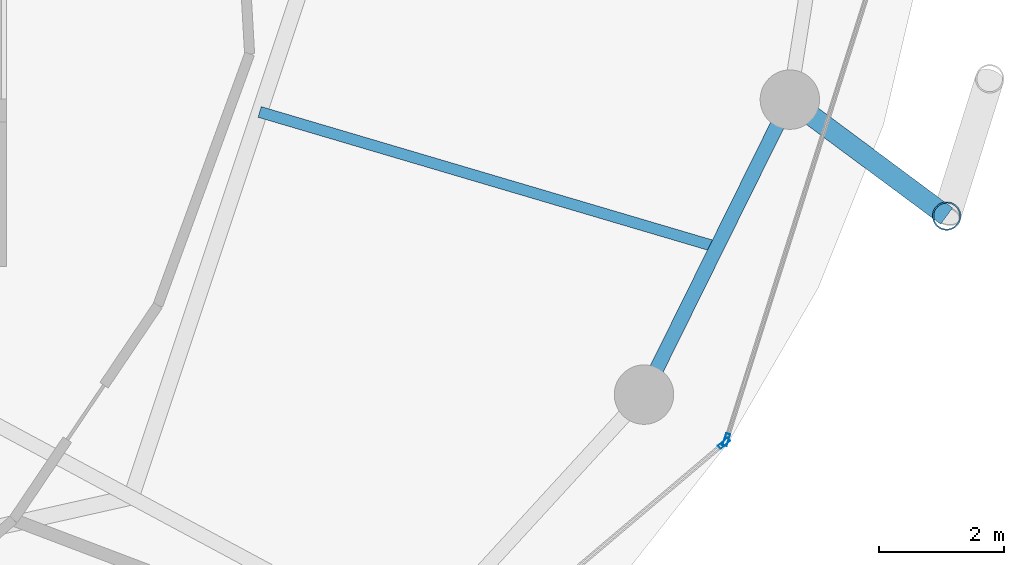
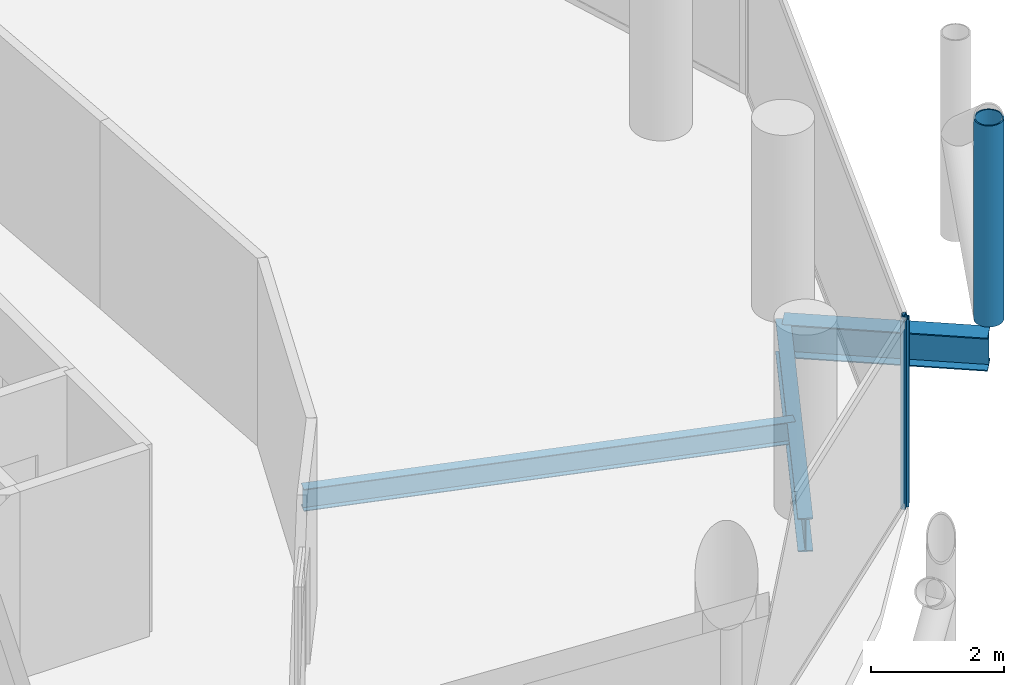
# One storey, part 10 of 26: 3 beams, 3 members, 2 elements without a shape of their own.
"""IFC4 building model written with IfcOpenShell, lengths in metres."""

import ifcopenshell
import ifcopenshell.guid

model = None  # the IFC model being written
_history = None  # IfcOwnerHistory: only IFC2X3 demands one
_inside = {}  # id of a spatial element -> (the spatial element, [elements in it])
_under = {}  # id of a project, library or spatial element -> (it, [spatial elements below it])
_declared = {}  # id of a project -> (the project, [libraries it declares])
_typed = {}  # id of a type object -> (the type object, [elements of that type])
_made_of = {}  # id of a material, layer set ... -> (it, [elements and type objects made of it])


def new_model(schema):
    """Start an empty IFC model of exactly this schema.

    Asked for "IFC4X3", IfcOpenShell would pick the latest addendum, in which some entities
    have other attributes; the version numbers below select the first issue.
    IFC2X3 requires an IfcOwnerHistory on every rooted entity: one is made here for all.
    """
    global model, _history
    if schema == "IFC4X3":
        model = ifcopenshell.file(schema_version=(4, 3, 0, 0))
    else:
        model = ifcopenshell.file(schema=schema)
    _inside.clear()
    _under.clear()
    _declared.clear()
    _typed.clear()
    _made_of.clear()
    _history = None
    if model.schema == "IFC2X3":
        org = make("IfcOrganization", Name="unknown")
        user = make(
            "IfcPersonAndOrganization",
            ThePerson=make("IfcPerson", FamilyName="unknown"),
            TheOrganization=org,
        )
        app = make(
            "IfcApplication",
            ApplicationDeveloper=org,
            Version="unknown",
            ApplicationFullName="unknown",
            ApplicationIdentifier="unknown",
        )
        _history = make(
            "IfcOwnerHistory",
            OwningUser=user,
            OwningApplication=app,
            ChangeAction="ADDED",
            CreationDate=0,
        )
    return model


def make(cls, **values):
    """One entity of the class cls with the attributes given. An attribute that is None is left unset."""
    return model.create_entity(
        cls, **{name: value for name, value in values.items() if value is not None}
    )


def rooted(cls, **values):
    """An entity with a GlobalId (a new one), such as an element, a storey or a relation."""
    return make(cls, GlobalId=ifcopenshell.guid.new(), OwnerHistory=_history, **values)


def si_unit(unit_type, name, prefix=None):
    """IfcSIUnit, for example si_unit("LENGTHUNIT", "METRE", prefix="MILLI")."""
    return make("IfcSIUnit", UnitType=unit_type, Prefix=prefix, Name=name)


def assignment(units):
    """IfcUnitAssignment: the units of a project."""
    return None if units is None else make("IfcUnitAssignment", Units=units)


def point(xyz):
    """IfcCartesianPoint."""
    return None if xyz is None else make("IfcCartesianPoint", Coordinates=xyz)


def direction(xyz):
    """IfcDirection."""
    return None if xyz is None else make("IfcDirection", DirectionRatios=xyz)


def frame(location, z_axis=None, x_axis=None):
    """IfcAxis2Placement3D, a coordinate frame: its origin and axes. An axis left out is left unset."""
    return make(
        "IfcAxis2Placement3D",
        Location=point(location),
        Axis=direction(z_axis),
        RefDirection=direction(x_axis),
    )


def frame_2d(location, x_axis=None):
    """IfcAxis2Placement2D, a coordinate frame in the plane: its origin and x axis."""
    return make(
        "IfcAxis2Placement2D", Location=point(location), RefDirection=direction(x_axis)
    )


def origin():
    """The frame at (0, 0, 0) with its axes left unset."""
    return frame((0.0, 0.0, 0.0))


def origin_2d():
    """The frame at (0, 0) in the plane with its x axis left unset."""
    return frame_2d((0.0, 0.0))


def place(relative_to, where):
    """IfcLocalPlacement: puts the frame where relative to a parent placement (None: the world)."""
    return make(
        "IfcLocalPlacement", PlacementRelTo=relative_to, RelativePlacement=where
    )


def context(
    kind, dimensions, precision=None, world=None, true_north=None, identifier=None
):
    """IfcGeometricRepresentationContext, for example the 3D "Model" context."""
    return make(
        "IfcGeometricRepresentationContext",
        ContextIdentifier=identifier,
        ContextType=kind,
        CoordinateSpaceDimension=dimensions,
        Precision=precision,
        WorldCoordinateSystem=world,
        TrueNorth=true_north,
    )


def subcontext(parent, identifier, kind, view, scale=None):
    """IfcGeometricRepresentationSubContext, for example "Body" below "Model"."""
    return make(
        "IfcGeometricRepresentationSubContext",
        ContextIdentifier=identifier,
        ContextType=kind,
        ParentContext=parent,
        TargetScale=scale,
        TargetView=view,
    )


def project(units=None, contexts=None):
    """IfcProject with its units and contexts."""
    return rooted(
        "IfcProject",
        Name="project",
        RepresentationContexts=contexts,
        UnitsInContext=assignment(units),
    )


def spatial(cls, under=None, at=None, **own):
    """A site, building, storey or space (cls), placed at a placement, below another one or the project."""
    s = rooted(cls, ObjectPlacement=at, **own)
    if under is not None:
        _under.setdefault(under.id(), (under, []))[1].append(s)
    return s


def profile(cls, at=None, kind="AREA", **sizes):
    """A parametric profile (cls). Its sizes go by their IFC names, for example OverallWidth=200.0."""
    return make(cls, ProfileType=kind, Position=at, **sizes)


def hollow_rectangle(**sizes):
    """IfcRectangleHollowProfileDef."""
    return profile("IfcRectangleHollowProfileDef", **sizes)


def hollow_circle(**sizes):
    """IfcCircleHollowProfileDef."""
    return profile("IfcCircleHollowProfileDef", **sizes)


def i_section(**sizes):
    """IfcIShapeProfileDef."""
    return profile("IfcIShapeProfileDef", **sizes)


def extrude(swept, where, along, depth):
    """IfcExtrudedAreaSolid: the profile swept, set in the frame where, extruded along a direction by depth."""
    return make(
        "IfcExtrudedAreaSolid",
        SweptArea=swept,
        Position=where,
        ExtrudedDirection=direction(along),
        Depth=depth,
    )


def shape(context_of_items, identifier, shape_type, items):
    """IfcShapeRepresentation: the items that make up one representation, for example the "Body"."""
    return make(
        "IfcShapeRepresentation",
        ContextOfItems=context_of_items,
        RepresentationIdentifier=identifier,
        RepresentationType=shape_type,
        Items=items,
    )


def material(Name=None, Category=None):
    """IfcMaterial."""
    return make("IfcMaterial", Name=Name, Category=Category)


def layer(
    of_material, thickness, ventilated=None, Name=None, Category=None, Priority=None
):
    """IfcMaterialLayer: one layer of a wall or slab, of a material (None: an air gap)."""
    return make(
        "IfcMaterialLayer",
        Material=of_material,
        LayerThickness=thickness,
        IsVentilated=ventilated,
        Name=Name,
        Category=Category,
        Priority=Priority,
    )


def layer_set(layers, Name=None):
    """IfcMaterialLayerSet."""
    return make("IfcMaterialLayerSet", MaterialLayers=layers, LayerSetName=Name)


def material_profile(
    of_material, cross_section, Name=None, Category=None, Priority=None
):
    """IfcMaterialProfile: a cross section and its material."""
    return make(
        "IfcMaterialProfile",
        Name=Name,
        Material=of_material,
        Profile=cross_section,
        Priority=Priority,
        Category=Category,
    )


def profile_set(profiles, Name=None, composite=None):
    """IfcMaterialProfileSet."""
    return make(
        "IfcMaterialProfileSet",
        Name=Name,
        MaterialProfiles=profiles,
        CompositeProfile=composite,
    )


def made_of(thing, what):
    """Note that an element or type object is made of a material, layer set ...; save() writes the relation."""
    if what is not None:
        _made_of.setdefault(what.id(), (what, []))[1].append(thing)
    return thing


def type_object(cls, material=None, **own):
    """A type object (cls), such as IfcWallType, which elements share."""
    return made_of(rooted(cls, **own), material)


def element(
    cls,
    number,
    at=None,
    inside=None,
    cuts=None,
    type_object=None,
    material=None,
    context=None,
    identifier="Body",
    shape_type=None,
    held_by="IfcProductDefinitionShape",
    body=None,
    shapes=None,
    **own,
):
    """One element of the class cls, such as IfcWall. Its Tag is "e" and its number.

    at: its placement. inside: the storey or other place that contains it. cuts: it is an
    opening in that element (IfcRelVoidsElement). A single representation is given by context,
    identifier, shape_type and body (its items); several are given by shapes. held_by: the class
    of the entity that holds the representations. save() writes the other relations.
    """
    e = rooted(cls, Tag="e%d" % number, ObjectPlacement=at, **own)
    if body is not None:
        shapes = [shape(context, identifier, shape_type, body)]
    if shapes is not None:
        e.Representation = make(held_by, Representations=shapes)
    if inside is not None:
        _inside.setdefault(inside.id(), (inside, []))[1].append(e)
    if cuts is not None:
        rooted(
            "IfcRelVoidsElement", RelatingBuildingElement=cuts, RelatedOpeningElement=e
        )
    if type_object is not None:
        _typed.setdefault(type_object.id(), (type_object, []))[1].append(e)
    return made_of(e, material)


def aggregate(whole, parts):
    """IfcRelAggregates: a whole, such as a stair, and the parts it consists of."""
    return rooted("IfcRelAggregates", RelatingObject=whole, RelatedObjects=parts)


def save(model, path):
    """Write the relations noted so far, then the file.

    IfcRelAggregates (storeys below a building ...), IfcRelContainedInSpatialStructure (elements
    in a storey), IfcRelDefinesByType, IfcRelAssociatesMaterial and IfcRelDeclares: one each for
    every whole, place, type object, material and project.
    """
    for whole, parts in _under.values():
        aggregate(whole, parts)
    for where, things in _inside.values():
        rooted(
            "IfcRelContainedInSpatialStructure",
            RelatedElements=things,
            RelatingStructure=where,
        )
    for kind, things in _typed.values():
        rooted("IfcRelDefinesByType", RelatedObjects=things, RelatingType=kind)
    for what, things in _made_of.values():
        rooted("IfcRelAssociatesMaterial", RelatedObjects=things, RelatingMaterial=what)
    for by, libraries in _declared.values():
        rooted("IfcRelDeclares", RelatingContext=by, RelatedDefinitions=libraries)
    model.write(path)


model = new_model("IFC4")

# Units and contexts
model_context = context("Model", 3, precision=1e-05, world=origin(), true_north=direction((0.0, 1.0)))
body_context = subcontext(model_context, "Body", "Model", "MODEL_VIEW")
ifc_project = project(units=[si_unit("LENGTHUNIT", "METRE"), si_unit("AREAUNIT", "SQUARE_METRE"), si_unit("VOLUMEUNIT", "CUBIC_METRE"), si_unit("PLANEANGLEUNIT", "RADIAN"), si_unit("MASSUNIT", "GRAM", prefix="KILO")], contexts=[model_context])

# Site, building, storey
site_placement = place(None, origin())
site = spatial("IfcSite", under=ifc_project, at=site_placement, CompositionType="ELEMENT")
building_placement = place(site_placement, origin())
building = spatial("IfcBuilding", under=site, at=building_placement, Name="Nuhasar Tower", CompositionType="ELEMENT")
storey_placement = place(building_placement, frame((0.0, 0.0, 140.449951171875)))
storey = spatial("IfcBuildingStorey", under=building, at=storey_placement, Name="L33", CompositionType="ELEMENT", Elevation=140.449951171875)

# Beams
ifc_material_1 = material(Name="Steel S355", Category="steel")
ifc_material_profile_1 = material_profile(ifc_material_1, i_section(OverallWidth=0.177978515625, OverallDepth=0.406005859375, WebThickness=0.0078125, FlangeThickness=0.0126953125, at=origin_2d()), Name="W16X40")
ifc_profile_set_1 = profile_set([ifc_material_profile_1], Name="Steel S355")
beam_type_1 = type_object("IfcBeamType", Name="BM-JST-W16X40", PredefinedType="JOIST", material=ifc_profile_set_1)
beam_1_placement = place(storey_placement, frame((53.0791015625, 21.54296875, -0.452880859375), z_axis=(0.959000494697, -0.283404395116, 0.0), x_axis=(0.283404395116, 0.959000494697, 0.0)))
element("IfcBeam", 1, at=beam_1_placement, inside=storey, type_object=beam_type_1, Name="L33 Secondary Floor Joist 03", PredefinedType="JOIST", context=body_context, shape_type="SweptSolid", body=[
    extrude(i_section(OverallWidth=0.177978515625, OverallDepth=0.406005859375, WebThickness=0.0078125, FlangeThickness=0.0126953125, at=origin_2d()), origin(), (0.0, 0.0, 1.0), 7.621337890625),
])
ifc_material_profile_2 = material_profile(ifc_material_1, i_section(OverallWidth=0.22998046875, OverallDepth=0.616943359375, WebThickness=0.01318359375, FlangeThickness=0.022216796875, at=origin_2d()), Name="W24X94")
ifc_profile_set_2 = profile_set([ifc_material_profile_2], Name="Steel S355")
beam_type_2 = type_object("IfcBeamType", Name="BM-RING-W24X94", PredefinedType="SPANDREL", material=ifc_profile_set_2)
beam_2_placement = place(storey_placement, frame((59.221923828125, 17.02490234375, -0.558837890625), z_axis=(0.443329327657, 0.896358804966, 0.0), x_axis=(-0.896358804966, 0.443329327657, 0.0)))
element("IfcBeam", 2, at=beam_2_placement, inside=storey, type_object=beam_type_2, Name="L33 Perimeter Ring Spandrel 23", PredefinedType="SPANDREL", context=body_context, shape_type="SweptSolid", body=[
    extrude(i_section(OverallWidth=0.22998046875, OverallDepth=0.616943359375, WebThickness=0.01318359375, FlangeThickness=0.022216796875, at=origin_2d()), origin(), (0.0, 0.0, 1.0), 5.26025390625),
])
ifc_material_profile_3 = material_profile(ifc_material_1, i_section(OverallWidth=0.323974609375, OverallDepth=0.611083984375, WebThickness=0.0126953125, FlangeThickness=0.01904296875, at=origin_2d()), Name="W24X104")
ifc_profile_set_3 = profile_set([ifc_material_profile_3], Name="Steel S355")
beam_type_3 = type_object("IfcBeamType", Name="BM-TIE-W24X104", PredefinedType="BEAM", material=ifc_profile_set_3)
beam_3_placement = place(storey_placement, frame((61.553955078125, 21.739990234375, -0.555908203125), z_axis=(0.80283476238, -0.596201597041, 0.0), x_axis=(0.596201597041, 0.80283476238, 0.0)))
element("IfcBeam", 3, at=beam_3_placement, inside=storey, type_object=beam_type_3, Name="L33 Exoskeleton Node Tie Beam 12", PredefinedType="BEAM", context=body_context, shape_type="SweptSolid", body=[
    extrude(i_section(OverallWidth=0.323974609375, OverallDepth=0.611083984375, WebThickness=0.0126953125, FlangeThickness=0.01904296875, at=origin_2d()), origin(), (0.0, 0.0, 1.0), 3.12158203125),
])

# Curtain wall, member
ifc_material_2 = material(Name="Aluminium 6063-T6", Category="aluminium")
ifc_layer = layer(ifc_material_2, 0.199951171875)
ifc_layer_set = layer_set([ifc_layer], Name="Aluminium 6063-T6")
curtain_wall_type = type_object("IfcCurtainWallType", Name="CW-Z2-HTL", PredefinedType="NOTDEFINED", material=ifc_layer_set)
curtain_wall_1_placement = place(storey_placement, origin())
curtain_wall_1 = element("IfcCurtainWall", 4, at=curtain_wall_1_placement, inside=storey, type_object=curtain_wall_type, Name="L33 Unitised Curtain Wall 11", PredefinedType="NOTDEFINED")
ifc_material_profile_4 = material_profile(ifc_material_2, hollow_rectangle(XDim=0.070068359375, YDim=0.199951171875, WallThickness=0.0048828125, at=origin_2d()), Name="CWM-3")
ifc_profile_set_4 = profile_set([ifc_material_profile_4], Name="Aluminium 6063-T6")
member_type_1 = type_object("IfcMemberType", Name="CW-MUL-S3", PredefinedType="MULLION", material=ifc_profile_set_4)
member_1_placement = place(storey_placement, frame((60.502197265625, 16.247314453125, 0.0), z_axis=(0.0, 0.0, 1.0), x_axis=(-0.646374438324, 0.763020370292, 0.0)))
member_1 = element("IfcMember", 5, at=member_1_placement, type_object=member_type_1, Name="CW-Z2 mullion 2", PredefinedType="MULLION", context=body_context, shape_type="SweptSolid", body=[
    extrude(hollow_rectangle(XDim=0.070068359375, YDim=0.199951171875, WallThickness=0.0048828125, at=origin_2d()), origin(), (0.0, 0.0, 1.0), 3.449951171875),
])
aggregate(curtain_wall_1, [member_1])

curtain_wall_2_placement = place(storey_placement, origin())
curtain_wall_2 = element("IfcCurtainWall", 6, at=curtain_wall_2_placement, inside=storey, type_object=curtain_wall_type, Name="L33 Unitised Curtain Wall 12", PredefinedType="NOTDEFINED")
member_2_placement = place(storey_placement, frame((60.53955078125, 16.303466796875, 0.0), z_axis=(0.0, 0.0, 1.0), x_axis=(-0.953433389233, 0.301603667577, 0.0)))
member_2 = element("IfcMember", 7, at=member_2_placement, type_object=member_type_1, Name="CW-Z2 mullion 1", PredefinedType="MULLION", context=body_context, shape_type="SweptSolid", body=[
    extrude(hollow_rectangle(XDim=0.070068359375, YDim=0.199951171875, WallThickness=0.0048828125, at=origin_2d()), origin(), (0.0, 0.0, 1.0), 3.449951171875),
])
aggregate(curtain_wall_2, [member_2])

# Member
ifc_material_3 = material(Name="Steel S460", Category="steel")
ifc_material_profile_5 = material_profile(ifc_material_3, hollow_circle(Radius=0.228515625, WallThickness=0.022216796875, at=origin_2d()), Name="HSS457X22.2")
ifc_profile_set_5 = profile_set([ifc_material_profile_5], Name="Steel S460")
member_type_2 = type_object("IfcMemberType", Name="EXO-BRONZE-457", PredefinedType="BRACE", material=ifc_profile_set_5)
member_3_placement = place(storey_placement, frame((64.06005859375, 19.87890625, 0.0), z_axis=(0.0, 0.0, 1.0), x_axis=(1.0, 0.0, 0.0)))
element("IfcMember", 8, at=member_3_placement, inside=storey, type_object=member_type_2, Name="L33 Exoskeleton Chord Column EC-12A", PredefinedType="BRACE", context=body_context, shape_type="SweptSolid", body=[
    extrude(hollow_circle(Radius=0.228515625, WallThickness=0.022216796875, at=origin_2d()), origin(), (0.0, 0.0, 1.0), 3.699951171875),
])

save(model, "model.ifc")
